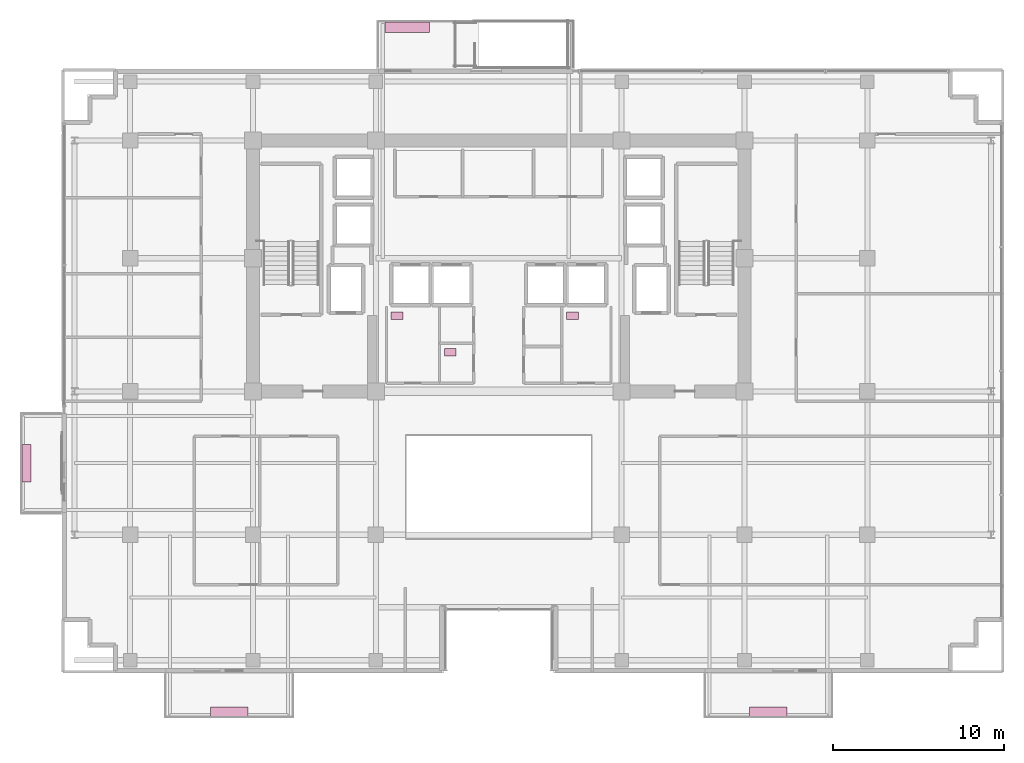
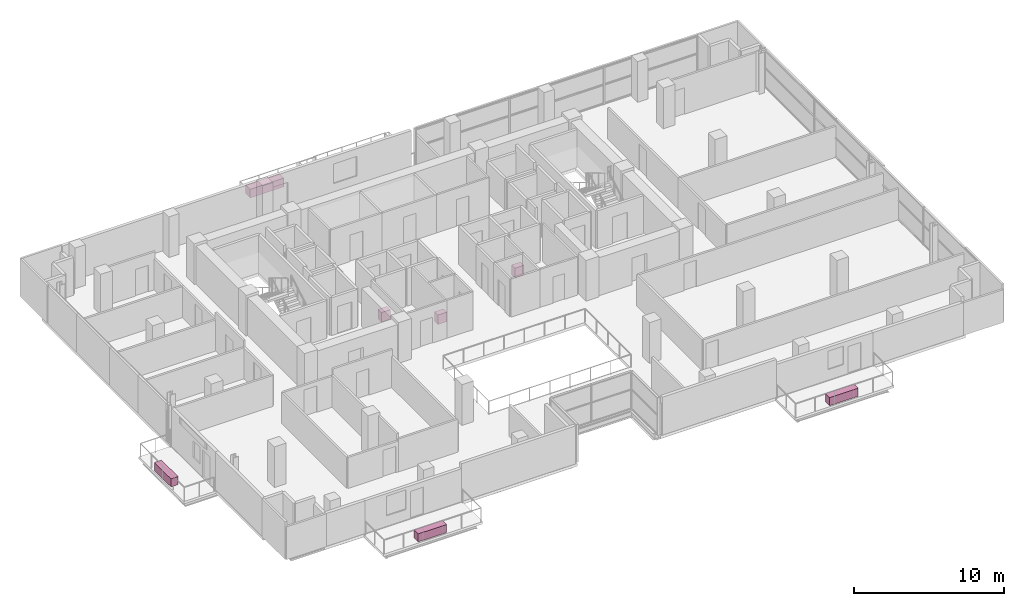
# One storey, part 23 of 23: 7 furnishings.
"""IFC4 building model written with IfcOpenShell, lengths in metres."""

import ifcopenshell
import ifcopenshell.guid

model = None  # the IFC model being written
_history = None  # IfcOwnerHistory: only IFC2X3 demands one
_inside = {}  # id of a spatial element -> (the spatial element, [elements in it])
_under = {}  # id of a project, library or spatial element -> (it, [spatial elements below it])
_declared = {}  # id of a project -> (the project, [libraries it declares])
_typed = {}  # id of a type object -> (the type object, [elements of that type])
_made_of = {}  # id of a material, layer set ... -> (it, [elements and type objects made of it])


def new_model(schema):
    """Start an empty IFC model of exactly this schema.

    Asked for "IFC4X3", IfcOpenShell would pick the latest addendum, in which some entities
    have other attributes; the version numbers below select the first issue.
    IFC2X3 requires an IfcOwnerHistory on every rooted entity: one is made here for all.
    """
    global model, _history
    if schema == "IFC4X3":
        model = ifcopenshell.file(schema_version=(4, 3, 0, 0))
    else:
        model = ifcopenshell.file(schema=schema)
    _inside.clear()
    _under.clear()
    _declared.clear()
    _typed.clear()
    _made_of.clear()
    _history = None
    if model.schema == "IFC2X3":
        org = make("IfcOrganization", Name="unknown")
        user = make(
            "IfcPersonAndOrganization",
            ThePerson=make("IfcPerson", FamilyName="unknown"),
            TheOrganization=org,
        )
        app = make(
            "IfcApplication",
            ApplicationDeveloper=org,
            Version="unknown",
            ApplicationFullName="unknown",
            ApplicationIdentifier="unknown",
        )
        _history = make(
            "IfcOwnerHistory",
            OwningUser=user,
            OwningApplication=app,
            ChangeAction="ADDED",
            CreationDate=0,
        )
    return model


def make(cls, **values):
    """One entity of the class cls with the attributes given. An attribute that is None is left unset."""
    return model.create_entity(
        cls, **{name: value for name, value in values.items() if value is not None}
    )


def rooted(cls, **values):
    """An entity with a GlobalId (a new one), such as an element, a storey or a relation."""
    return make(cls, GlobalId=ifcopenshell.guid.new(), OwnerHistory=_history, **values)


def si_unit(unit_type, name, prefix=None):
    """IfcSIUnit, for example si_unit("LENGTHUNIT", "METRE", prefix="MILLI")."""
    return make("IfcSIUnit", UnitType=unit_type, Prefix=prefix, Name=name)


def assignment(units):
    """IfcUnitAssignment: the units of a project."""
    return None if units is None else make("IfcUnitAssignment", Units=units)


def point(xyz):
    """IfcCartesianPoint."""
    return None if xyz is None else make("IfcCartesianPoint", Coordinates=xyz)


def direction(xyz):
    """IfcDirection."""
    return None if xyz is None else make("IfcDirection", DirectionRatios=xyz)


def frame(location, z_axis=None, x_axis=None):
    """IfcAxis2Placement3D, a coordinate frame: its origin and axes. An axis left out is left unset."""
    return make(
        "IfcAxis2Placement3D",
        Location=point(location),
        Axis=direction(z_axis),
        RefDirection=direction(x_axis),
    )


def frame_2d(location, x_axis=None):
    """IfcAxis2Placement2D, a coordinate frame in the plane: its origin and x axis."""
    return make(
        "IfcAxis2Placement2D", Location=point(location), RefDirection=direction(x_axis)
    )


def origin():
    """The frame at (0, 0, 0) with its axes left unset."""
    return frame((0.0, 0.0, 0.0))


def origin_2d():
    """The frame at (0, 0) in the plane with its x axis left unset."""
    return frame_2d((0.0, 0.0))


def place(relative_to, where):
    """IfcLocalPlacement: puts the frame where relative to a parent placement (None: the world)."""
    return make(
        "IfcLocalPlacement", PlacementRelTo=relative_to, RelativePlacement=where
    )


def context(
    kind, dimensions, precision=None, world=None, true_north=None, identifier=None
):
    """IfcGeometricRepresentationContext, for example the 3D "Model" context."""
    return make(
        "IfcGeometricRepresentationContext",
        ContextIdentifier=identifier,
        ContextType=kind,
        CoordinateSpaceDimension=dimensions,
        Precision=precision,
        WorldCoordinateSystem=world,
        TrueNorth=true_north,
    )


def subcontext(parent, identifier, kind, view, scale=None):
    """IfcGeometricRepresentationSubContext, for example "Body" below "Model"."""
    return make(
        "IfcGeometricRepresentationSubContext",
        ContextIdentifier=identifier,
        ContextType=kind,
        ParentContext=parent,
        TargetScale=scale,
        TargetView=view,
    )


def project(units=None, contexts=None):
    """IfcProject with its units and contexts."""
    return rooted(
        "IfcProject",
        Name="project",
        RepresentationContexts=contexts,
        UnitsInContext=assignment(units),
    )


def spatial(cls, under=None, at=None, **own):
    """A site, building, storey or space (cls), placed at a placement, below another one or the project."""
    s = rooted(cls, ObjectPlacement=at, **own)
    if under is not None:
        _under.setdefault(under.id(), (under, []))[1].append(s)
    return s


def profile(cls, at=None, kind="AREA", **sizes):
    """A parametric profile (cls). Its sizes go by their IFC names, for example OverallWidth=200.0."""
    return make(cls, ProfileType=kind, Position=at, **sizes)


def rectangle(**sizes):
    """IfcRectangleProfileDef."""
    return profile("IfcRectangleProfileDef", **sizes)


def extrude(swept, where, along, depth):
    """IfcExtrudedAreaSolid: the profile swept, set in the frame where, extruded along a direction by depth."""
    return make(
        "IfcExtrudedAreaSolid",
        SweptArea=swept,
        Position=where,
        ExtrudedDirection=direction(along),
        Depth=depth,
    )


def shape(context_of_items, identifier, shape_type, items):
    """IfcShapeRepresentation: the items that make up one representation, for example the "Body"."""
    return make(
        "IfcShapeRepresentation",
        ContextOfItems=context_of_items,
        RepresentationIdentifier=identifier,
        RepresentationType=shape_type,
        Items=items,
    )


def source(mapping_origin, context_of_items, identifier, shape_type, items):
    """IfcRepresentationMap: a shape defined once, which mapped items show again and again."""
    return make(
        "IfcRepresentationMap",
        MappingOrigin=mapping_origin,
        MappedRepresentation=shape(context_of_items, identifier, shape_type, items),
    )


def transform(
    local_origin,
    x_axis=None,
    y_axis=None,
    z_axis=None,
    scale=None,
    scale2=None,
    scale3=None,
    uniform=True,
):
    """IfcCartesianTransformationOperator3D, or its non-uniform kind. x_axis, y_axis, z_axis: its Axis1, 2, 3."""
    if uniform:
        return make(
            "IfcCartesianTransformationOperator3D",
            Axis1=direction(x_axis),
            Axis2=direction(y_axis),
            LocalOrigin=point(local_origin),
            Scale=scale,
            Axis3=direction(z_axis),
        )
    return make(
        "IfcCartesianTransformationOperator3DnonUniform",
        Axis1=direction(x_axis),
        Axis2=direction(y_axis),
        LocalOrigin=point(local_origin),
        Scale=scale,
        Axis3=direction(z_axis),
        Scale2=scale2,
        Scale3=scale3,
    )


def mapped(mapping_source, mapping_target):
    """IfcMappedItem: shows the shape of a source again, moved by a transform."""
    return make(
        "IfcMappedItem", MappingSource=mapping_source, MappingTarget=mapping_target
    )


def material(Name=None, Category=None):
    """IfcMaterial."""
    return make("IfcMaterial", Name=Name, Category=Category)


def made_of(thing, what):
    """Note that an element or type object is made of a material, layer set ...; save() writes the relation."""
    if what is not None:
        _made_of.setdefault(what.id(), (what, []))[1].append(thing)
    return thing


def type_object(cls, material=None, **own):
    """A type object (cls), such as IfcWallType, which elements share."""
    return made_of(rooted(cls, **own), material)


def element(
    cls,
    number,
    at=None,
    inside=None,
    cuts=None,
    type_object=None,
    material=None,
    context=None,
    identifier="Body",
    shape_type=None,
    held_by="IfcProductDefinitionShape",
    body=None,
    shapes=None,
    **own,
):
    """One element of the class cls, such as IfcWall. Its Tag is "e" and its number.

    at: its placement. inside: the storey or other place that contains it. cuts: it is an
    opening in that element (IfcRelVoidsElement). A single representation is given by context,
    identifier, shape_type and body (its items); several are given by shapes. held_by: the class
    of the entity that holds the representations. save() writes the other relations.
    """
    e = rooted(cls, Tag="e%d" % number, ObjectPlacement=at, **own)
    if body is not None:
        shapes = [shape(context, identifier, shape_type, body)]
    if shapes is not None:
        e.Representation = make(held_by, Representations=shapes)
    if inside is not None:
        _inside.setdefault(inside.id(), (inside, []))[1].append(e)
    if cuts is not None:
        rooted(
            "IfcRelVoidsElement", RelatingBuildingElement=cuts, RelatedOpeningElement=e
        )
    if type_object is not None:
        _typed.setdefault(type_object.id(), (type_object, []))[1].append(e)
    return made_of(e, material)


def aggregate(whole, parts):
    """IfcRelAggregates: a whole, such as a stair, and the parts it consists of."""
    return rooted("IfcRelAggregates", RelatingObject=whole, RelatedObjects=parts)


def save(model, path):
    """Write the relations noted so far, then the file.

    IfcRelAggregates (storeys below a building ...), IfcRelContainedInSpatialStructure (elements
    in a storey), IfcRelDefinesByType, IfcRelAssociatesMaterial and IfcRelDeclares: one each for
    every whole, place, type object, material and project.
    """
    for whole, parts in _under.values():
        aggregate(whole, parts)
    for where, things in _inside.values():
        rooted(
            "IfcRelContainedInSpatialStructure",
            RelatedElements=things,
            RelatingStructure=where,
        )
    for kind, things in _typed.values():
        rooted("IfcRelDefinesByType", RelatedObjects=things, RelatingType=kind)
    for what, things in _made_of.values():
        rooted("IfcRelAssociatesMaterial", RelatedObjects=things, RelatingMaterial=what)
    for by, libraries in _declared.values():
        rooted("IfcRelDeclares", RelatingContext=by, RelatedDefinitions=libraries)
    model.write(path)


model = new_model("IFC4")

# Units and contexts
model_context = context("Model", 3, precision=1e-05, world=origin(), true_north=direction((0.0, 1.0)))
body_context = subcontext(model_context, "Body", "Model", "MODEL_VIEW")
ifc_project = project(units=[si_unit("LENGTHUNIT", "METRE"), si_unit("AREAUNIT", "SQUARE_METRE"), si_unit("VOLUMEUNIT", "CUBIC_METRE"), si_unit("PLANEANGLEUNIT", "RADIAN"), si_unit("MASSUNIT", "GRAM", prefix="KILO")], contexts=[model_context])

# Site, building, storey
site_placement = place(None, origin())
site = spatial("IfcSite", under=ifc_project, at=site_placement, CompositionType="ELEMENT")
building_placement = place(site_placement, origin())
building = spatial("IfcBuilding", under=site, at=building_placement, Name="Zarnakvel Exchange Tower", CompositionType="ELEMENT")
storey_placement = place(building_placement, frame((0.0, 0.0, 116.5)))
storey = spatial("IfcBuildingStorey", under=building, at=storey_placement, Name="L32", CompositionType="ELEMENT", Elevation=116.5)

# Furnishings
ifc_material_1 = material(Name="Architectural Bronze Anodised Aluminium", Category="aluminium")
furnishing_element_type_1 = type_object("IfcFurnishingElementType", Name="PLNT-02", material=ifc_material_1)
shared_shape_1 = source(origin(), body_context, "Body", "SweptSolid", [
    extrude(rectangle(XDim=2.60009765625, YDim=0.60009765625, at=origin_2d()), origin(), (0.0, 0.0, 1.0), 0.699951171875),
])
furnishing_placement = place(storey_placement, frame((-5.35009765625, 20.139892578125, 0.0), z_axis=(0.0, 0.0, 1.0), x_axis=(1.0, 0.0, 0.0)))
element("IfcFurnishingElement", 1, at=furnishing_placement, inside=storey, type_object=furnishing_element_type_1, Name="L32 Spiral Sky-Terrace Tropical Planter", ObjectType="PLANTER", context=body_context, shape_type="MappedRepresentation", body=[
    mapped(shared_shape_1, transform((0.0, 0.0, 0.0), x_axis=(1.0, 0.0, 0.0), y_axis=(0.0, 1.0, 0.0), z_axis=(0.0, 0.0, 1.0), scale=1.0)),
])
furnishing_element_type_2 = type_object("IfcFurnishingElementType", Name="PLNT-01", material=ifc_material_1)
shared_shape_2 = source(origin(), body_context, "Body", "SweptSolid", [
    extrude(rectangle(XDim=2.199951171875, YDim=0.550048828125, at=origin_2d()), origin(), (0.0, 0.0, 1.0), 0.64990234375),
])
for number, where, z_axis, x_axis, name in (
    (2, (-15.800048828125, -19.969970703125, -0.034912109375), (0.0, 0.0, 1.0), (1.0, 0.0, 0.0), "L32 Balcony Greenery Planter BAL-L32-SW"),
    (3, (15.800048828125, -19.969970703125, -0.034912109375), (0.0, 0.0, 1.0), (1.0, 0.0, 0.0), "L32 Balcony Greenery Planter BAL-L32-SE"),
    (4, (-27.669921875, -5.39990234375, -0.034912109375), (0.0, 0.0, 1.0), (0.0, 1.0, 0.0), "L32 Balcony Greenery Planter BAL-L32-W"),
):
    element("IfcFurnishingElement", number, at=place(storey_placement, frame(where, z_axis=z_axis, x_axis=x_axis)), inside=storey, type_object=furnishing_element_type_2, Name=name, ObjectType="PLANTER", context=body_context, shape_type="MappedRepresentation", body=[
        mapped(shared_shape_2, transform((0.0, 0.0, 0.0), x_axis=(1.0, 0.0, 0.0), y_axis=(0.0, 1.0, 0.0), z_axis=(0.0, 0.0, 1.0), scale=1.0)),
    ])
ifc_material_2 = material(Name="Vitreous China Sanitaryware", Category="ceramic")
furnishing_element_type_3 = type_object("IfcFurnishingElementType", Name="SAN-WC", material=ifc_material_2)
shared_shape_3 = source(origin(), body_context, "Body", "SweptSolid", [
    extrude(rectangle(XDim=0.699951171875, YDim=0.449951171875, at=origin_2d()), origin(), (0.0, 0.0, 1.0), 0.780029296875),
])
for number, where, z_axis, x_axis, name in (
    (5, (-5.949951171875, 3.22998046875, 0.0), (0.0, 0.0, 1.0), (1.0, 0.0, 0.0), "L32 Sanitary Fixture (Male Toilet)"),
    (6, (-2.840087890625, 1.10009765625, 0.0), (0.0, 0.0, 1.0), (1.0, 0.0, 0.0), "L32 Sanitary Fixture (Accessible Toilet)"),
    (7, (4.31005859375, 3.22998046875, 0.0), (0.0, 0.0, 1.0), (1.0, 0.0, 0.0), "L32 Sanitary Fixture (Female Toilet)"),
):
    element("IfcFurnishingElement", number, at=place(storey_placement, frame(where, z_axis=z_axis, x_axis=x_axis)), inside=storey, type_object=furnishing_element_type_3, Name=name, ObjectType="SANITARY_FIXTURE", context=body_context, shape_type="MappedRepresentation", body=[
        mapped(shared_shape_3, transform((0.0, 0.0, 0.0), x_axis=(1.0, 0.0, 0.0), y_axis=(0.0, 1.0, 0.0), z_axis=(0.0, 0.0, 1.0), scale=1.0)),
    ])

save(model, "model.ifc")
